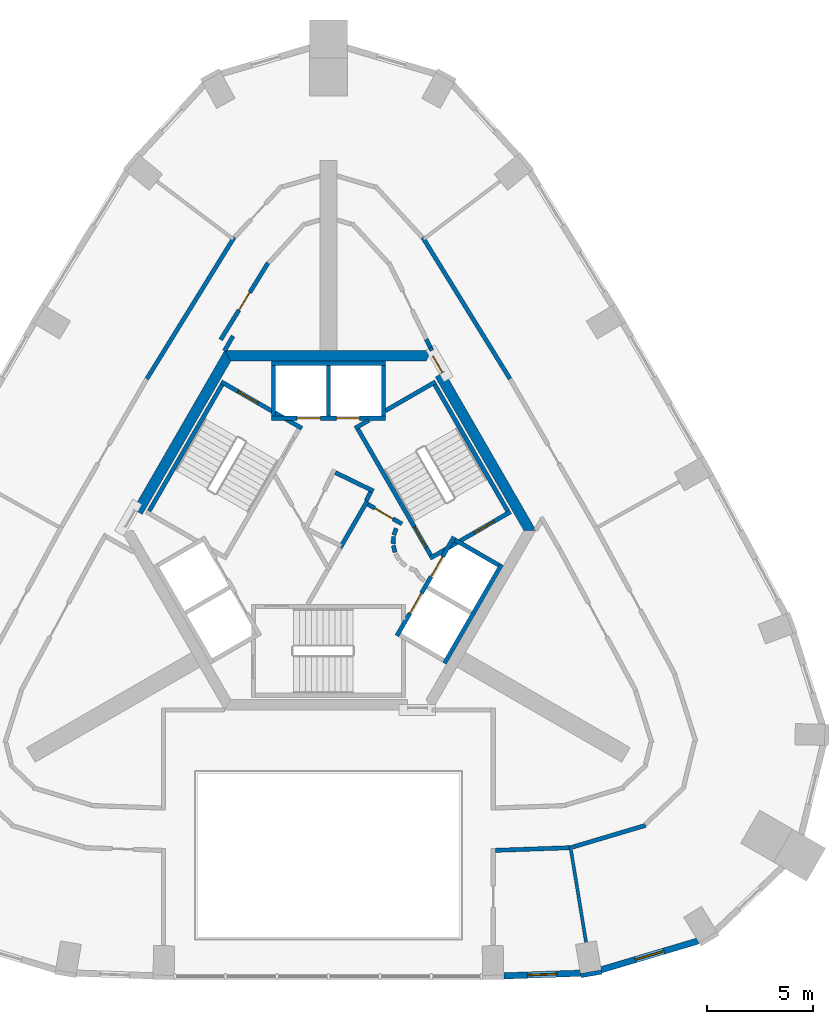
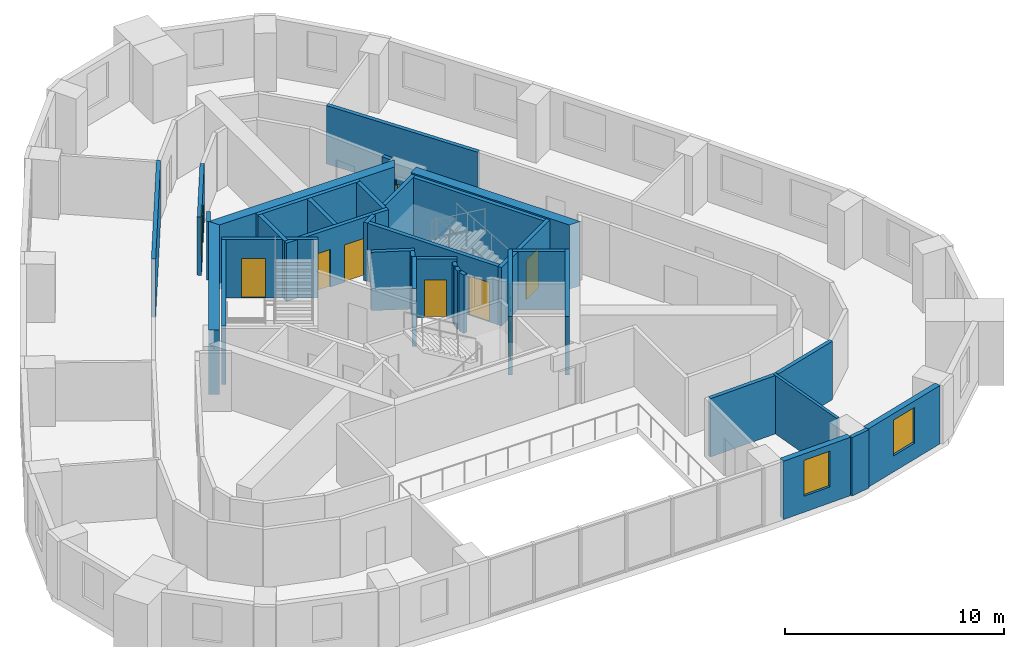
# One storey, part 5 of 8: 38 walls, 10 doors, 2 windows, 12 openings.
"""IFC4 building model written with IfcOpenShell, lengths in metres."""

import ifcopenshell
import ifcopenshell.guid

model = None  # the IFC model being written
_history = None  # IfcOwnerHistory: only IFC2X3 demands one
_inside = {}  # id of a spatial element -> (the spatial element, [elements in it])
_under = {}  # id of a project, library or spatial element -> (it, [spatial elements below it])
_declared = {}  # id of a project -> (the project, [libraries it declares])
_typed = {}  # id of a type object -> (the type object, [elements of that type])
_made_of = {}  # id of a material, layer set ... -> (it, [elements and type objects made of it])


def new_model(schema):
    """Start an empty IFC model of exactly this schema.

    Asked for "IFC4X3", IfcOpenShell would pick the latest addendum, in which some entities
    have other attributes; the version numbers below select the first issue.
    IFC2X3 requires an IfcOwnerHistory on every rooted entity: one is made here for all.
    """
    global model, _history
    if schema == "IFC4X3":
        model = ifcopenshell.file(schema_version=(4, 3, 0, 0))
    else:
        model = ifcopenshell.file(schema=schema)
    _inside.clear()
    _under.clear()
    _declared.clear()
    _typed.clear()
    _made_of.clear()
    _history = None
    if model.schema == "IFC2X3":
        org = make("IfcOrganization", Name="unknown")
        user = make(
            "IfcPersonAndOrganization",
            ThePerson=make("IfcPerson", FamilyName="unknown"),
            TheOrganization=org,
        )
        app = make(
            "IfcApplication",
            ApplicationDeveloper=org,
            Version="unknown",
            ApplicationFullName="unknown",
            ApplicationIdentifier="unknown",
        )
        _history = make(
            "IfcOwnerHistory",
            OwningUser=user,
            OwningApplication=app,
            ChangeAction="ADDED",
            CreationDate=0,
        )
    return model


def make(cls, **values):
    """One entity of the class cls with the attributes given. An attribute that is None is left unset."""
    return model.create_entity(
        cls, **{name: value for name, value in values.items() if value is not None}
    )


def rooted(cls, **values):
    """An entity with a GlobalId (a new one), such as an element, a storey or a relation."""
    return make(cls, GlobalId=ifcopenshell.guid.new(), OwnerHistory=_history, **values)


def si_unit(unit_type, name, prefix=None):
    """IfcSIUnit, for example si_unit("LENGTHUNIT", "METRE", prefix="MILLI")."""
    return make("IfcSIUnit", UnitType=unit_type, Prefix=prefix, Name=name)


def assignment(units):
    """IfcUnitAssignment: the units of a project."""
    return None if units is None else make("IfcUnitAssignment", Units=units)


def point(xyz):
    """IfcCartesianPoint."""
    return None if xyz is None else make("IfcCartesianPoint", Coordinates=xyz)


def direction(xyz):
    """IfcDirection."""
    return None if xyz is None else make("IfcDirection", DirectionRatios=xyz)


def frame(location, z_axis=None, x_axis=None):
    """IfcAxis2Placement3D, a coordinate frame: its origin and axes. An axis left out is left unset."""
    return make(
        "IfcAxis2Placement3D",
        Location=point(location),
        Axis=direction(z_axis),
        RefDirection=direction(x_axis),
    )


def frame_2d(location, x_axis=None):
    """IfcAxis2Placement2D, a coordinate frame in the plane: its origin and x axis."""
    return make(
        "IfcAxis2Placement2D", Location=point(location), RefDirection=direction(x_axis)
    )


def origin():
    """The frame at (0, 0, 0) with its axes left unset."""
    return frame((0.0, 0.0, 0.0))


def place(relative_to, where):
    """IfcLocalPlacement: puts the frame where relative to a parent placement (None: the world)."""
    return make(
        "IfcLocalPlacement", PlacementRelTo=relative_to, RelativePlacement=where
    )


def context(
    kind, dimensions, precision=None, world=None, true_north=None, identifier=None
):
    """IfcGeometricRepresentationContext, for example the 3D "Model" context."""
    return make(
        "IfcGeometricRepresentationContext",
        ContextIdentifier=identifier,
        ContextType=kind,
        CoordinateSpaceDimension=dimensions,
        Precision=precision,
        WorldCoordinateSystem=world,
        TrueNorth=true_north,
    )


def subcontext(parent, identifier, kind, view, scale=None):
    """IfcGeometricRepresentationSubContext, for example "Body" below "Model"."""
    return make(
        "IfcGeometricRepresentationSubContext",
        ContextIdentifier=identifier,
        ContextType=kind,
        ParentContext=parent,
        TargetScale=scale,
        TargetView=view,
    )


def project(units=None, contexts=None):
    """IfcProject with its units and contexts."""
    return rooted(
        "IfcProject",
        Name="project",
        RepresentationContexts=contexts,
        UnitsInContext=assignment(units),
    )


def spatial(cls, under=None, at=None, **own):
    """A site, building, storey or space (cls), placed at a placement, below another one or the project."""
    s = rooted(cls, ObjectPlacement=at, **own)
    if under is not None:
        _under.setdefault(under.id(), (under, []))[1].append(s)
    return s


def polyline(points):
    """IfcPolyline through the points."""
    return make("IfcPolyline", Points=[point(p) for p in points])


def profile(cls, at=None, kind="AREA", **sizes):
    """A parametric profile (cls). Its sizes go by their IFC names, for example OverallWidth=200.0."""
    return make(cls, ProfileType=kind, Position=at, **sizes)


def rectangle(**sizes):
    """IfcRectangleProfileDef."""
    return profile("IfcRectangleProfileDef", **sizes)


def outline(outer, holes=None, kind="AREA"):
    """IfcArbitraryClosedProfileDef: a profile drawn as a closed curve; with holes, ...WithVoids."""
    if holes is None:
        return make("IfcArbitraryClosedProfileDef", ProfileType=kind, OuterCurve=outer)
    return make(
        "IfcArbitraryProfileDefWithVoids",
        ProfileType=kind,
        OuterCurve=outer,
        InnerCurves=holes,
    )


def extrude(swept, where, along, depth):
    """IfcExtrudedAreaSolid: the profile swept, set in the frame where, extruded along a direction by depth."""
    return make(
        "IfcExtrudedAreaSolid",
        SweptArea=swept,
        Position=where,
        ExtrudedDirection=direction(along),
        Depth=depth,
    )


def shape(context_of_items, identifier, shape_type, items):
    """IfcShapeRepresentation: the items that make up one representation, for example the "Body"."""
    return make(
        "IfcShapeRepresentation",
        ContextOfItems=context_of_items,
        RepresentationIdentifier=identifier,
        RepresentationType=shape_type,
        Items=items,
    )


def material(Name=None, Category=None):
    """IfcMaterial."""
    return make("IfcMaterial", Name=Name, Category=Category)


def layer(
    of_material, thickness, ventilated=None, Name=None, Category=None, Priority=None
):
    """IfcMaterialLayer: one layer of a wall or slab, of a material (None: an air gap)."""
    return make(
        "IfcMaterialLayer",
        Material=of_material,
        LayerThickness=thickness,
        IsVentilated=ventilated,
        Name=Name,
        Category=Category,
        Priority=Priority,
    )


def layer_set(layers, Name=None):
    """IfcMaterialLayerSet."""
    return make("IfcMaterialLayerSet", MaterialLayers=layers, LayerSetName=Name)


def made_of(thing, what):
    """Note that an element or type object is made of a material, layer set ...; save() writes the relation."""
    if what is not None:
        _made_of.setdefault(what.id(), (what, []))[1].append(thing)
    return thing


def type_object(cls, material=None, **own):
    """A type object (cls), such as IfcWallType, which elements share."""
    return made_of(rooted(cls, **own), material)


def element(
    cls,
    number,
    at=None,
    inside=None,
    cuts=None,
    type_object=None,
    material=None,
    context=None,
    identifier="Body",
    shape_type=None,
    held_by="IfcProductDefinitionShape",
    body=None,
    shapes=None,
    **own,
):
    """One element of the class cls, such as IfcWall. Its Tag is "e" and its number.

    at: its placement. inside: the storey or other place that contains it. cuts: it is an
    opening in that element (IfcRelVoidsElement). A single representation is given by context,
    identifier, shape_type and body (its items); several are given by shapes. held_by: the class
    of the entity that holds the representations. save() writes the other relations.
    """
    e = rooted(cls, Tag="e%d" % number, ObjectPlacement=at, **own)
    if body is not None:
        shapes = [shape(context, identifier, shape_type, body)]
    if shapes is not None:
        e.Representation = make(held_by, Representations=shapes)
    if inside is not None:
        _inside.setdefault(inside.id(), (inside, []))[1].append(e)
    if cuts is not None:
        rooted(
            "IfcRelVoidsElement", RelatingBuildingElement=cuts, RelatedOpeningElement=e
        )
    if type_object is not None:
        _typed.setdefault(type_object.id(), (type_object, []))[1].append(e)
    return made_of(e, material)


def fill(opening, filler):
    """IfcRelFillsElement: the door or window that sits in an opening."""
    return rooted(
        "IfcRelFillsElement",
        RelatingOpeningElement=opening,
        RelatedBuildingElement=filler,
    )


def aggregate(whole, parts):
    """IfcRelAggregates: a whole, such as a stair, and the parts it consists of."""
    return rooted("IfcRelAggregates", RelatingObject=whole, RelatedObjects=parts)


def save(model, path):
    """Write the relations noted so far, then the file.

    IfcRelAggregates (storeys below a building ...), IfcRelContainedInSpatialStructure (elements
    in a storey), IfcRelDefinesByType, IfcRelAssociatesMaterial and IfcRelDeclares: one each for
    every whole, place, type object, material and project.
    """
    for whole, parts in _under.values():
        aggregate(whole, parts)
    for where, things in _inside.values():
        rooted(
            "IfcRelContainedInSpatialStructure",
            RelatedElements=things,
            RelatingStructure=where,
        )
    for kind, things in _typed.values():
        rooted("IfcRelDefinesByType", RelatedObjects=things, RelatingType=kind)
    for what, things in _made_of.values():
        rooted("IfcRelAssociatesMaterial", RelatedObjects=things, RelatingMaterial=what)
    for by, libraries in _declared.values():
        rooted("IfcRelDeclares", RelatingContext=by, RelatedDefinitions=libraries)
    model.write(path)


model = new_model("IFC4")

# Units and contexts
model_context = context("Model", 3, precision=1e-05, world=origin(), true_north=direction((0.0, 1.0)))
body_context = subcontext(model_context, "Body", "Model", "MODEL_VIEW")
ifc_project = project(units=[si_unit("LENGTHUNIT", "METRE"), si_unit("AREAUNIT", "SQUARE_METRE"), si_unit("VOLUMEUNIT", "CUBIC_METRE"), si_unit("PLANEANGLEUNIT", "RADIAN"), si_unit("MASSUNIT", "GRAM", prefix="KILO")], contexts=[model_context])

# Site, building, storey
site_placement = place(None, origin())
site = spatial("IfcSite", under=ifc_project, at=site_placement, CompositionType="ELEMENT")
building_placement = place(site_placement, origin())
building = spatial("IfcBuilding", under=site, at=building_placement, Name="Entoto Arch Interchange Tower", CompositionType="ELEMENT")
storey_placement = place(building_placement, frame((0.0, 0.0, 311.60009765625)))
storey = spatial("IfcBuildingStorey", under=building, at=storey_placement, Name="L73", CompositionType="ELEMENT", Elevation=311.60009765625)

# Wall, opening, door
ifc_material_1 = material(Name="Reinforced concrete C40/50", Category="concrete")
ifc_layer_1 = layer(ifc_material_1, 0.199951171875)
ifc_layer_set_1 = layer_set([ifc_layer_1], Name="Reinforced concrete C40/50")
wall_type_1 = type_object("IfcWallType", Name="CORE GAP INFILL WALL", PredefinedType="PARTITIONING", material=ifc_layer_set_1)
wall_1_placement = place(storey_placement, frame((5.39892578125, 9.947998046875, 0.0), z_axis=(0.0, 0.0, 1.0), x_axis=(-0.499882215713, 0.866093395895, 0.0)))
wall_1 = element("IfcWall", 1, at=wall_1_placement, inside=storey, type_object=wall_type_1, Name="wall:L73:gap2", PredefinedType="PARTITIONING", context=body_context, shape_type="SweptSolid", body=[
    extrude(rectangle(XDim=0.926025390625, YDim=0.199951171875, at=frame_2d((0.462890625, 0.0))), origin(), (0.0, 0.0, 1.0), 2.39990234375),
])
opening_1_placement = place(wall_1_placement, frame((0.01708984375, 0.0, 0.0)))
opening_1 = element("IfcOpeningElement", 2, at=opening_1_placement, cuts=wall_1, Name="Opening L73-D92", PredefinedType="OPENING", context=body_context, shape_type="SweptSolid", body=[
    extrude(rectangle(XDim=0.89990234375, YDim=2.10009765625, at=frame_2d((0.449951171875, 1.050048828125))), frame((0.0, 0.10986328125, 0.0), z_axis=(0.0, -1.0, 0.0), x_axis=(1.0, 0.0, 0.0)), (0.0, 0.0, 1.0), 0.219970703125),
])
ifc_material_2 = material(Name="Fire-rated Steel S235 door and frame", Category="steel")
door_type_1 = type_object("IfcDoorType", Name="DOOR FD-09 900x2100", OperationType="SINGLE_SWING_LEFT", PredefinedType="DOOR", material=ifc_material_2)
door_1_placement = place(opening_1_placement, origin())
door_1 = element("IfcDoor", 3, at=door_1_placement, inside=storey, type_object=door_type_1, Name="door:L73:gap2", OperationType="SINGLE_SWING_LEFT", OverallHeight=2.10009765625, OverallWidth=0.89990234375, PredefinedType="DOOR", context=body_context, shape_type="SweptSolid", body=[
    extrude(rectangle(XDim=0.89990234375, YDim=2.10009765625, at=frame_2d((0.449951171875, 1.050048828125))), frame((0.0, 0.02490234375, 0.0), z_axis=(0.0, -1.0, 0.0), x_axis=(1.0, 0.0, 0.0)), (0.0, 0.0, 1.0), 0.050048828125),
])
fill(opening_1, door_1)

# Walls
ifc_material_3 = material(Name="Concrete C40/50", Category="concrete")
ifc_layer_2 = layer(ifc_material_3, 0.5)
ifc_layer_set_2 = layer_set([ifc_layer_2], Name="Concrete C40/50")
wall_type_2 = type_object("IfcWallType", Name="Core wall 500 C40/50", PredefinedType="SHEAR", material=ifc_layer_set_2)
wall_2_placement = place(storey_placement, frame((0.0, 0.0, -0.340087890625)))
element("IfcWall", 4, at=wall_2_placement, inside=storey, type_object=wall_type_2, Name="Core wall NE L73", PredefinedType="SHEAR", context=body_context, shape_type="SweptSolid", body=[
    extrude(outline(polyline([(5.486083984375, 9.998046875), (5.052978515625, 9.748046875), (9.238037109375, 2.5), (9.81494140625, 2.5), (5.486083984375, 9.998046875)])), origin(), (0.0, 0.0, 1.0), 3.60009765625),
])
wall_3_placement = place(storey_placement, frame((0.0, 0.0, -0.340087890625)))
element("IfcWall", 5, at=wall_3_placement, inside=storey, type_object=wall_type_2, Name="Core wall N L73", PredefinedType="SHEAR", context=body_context, shape_type="SweptSolid", body=[
    extrude(outline(polyline([(4.906982421875, 11.0), (-4.906982421875, 11.0), (-4.618896484375, 10.5), (4.618896484375, 10.5), (4.906982421875, 11.0)])), origin(), (0.0, 0.0, 1.0), 3.60009765625),
])
wall_4_placement = place(storey_placement, frame((0.0, 0.0, -0.340087890625)))
element("IfcWall", 6, at=wall_4_placement, inside=storey, type_object=wall_type_2, Name="Core wall NW L73", PredefinedType="SHEAR", context=body_context, shape_type="SweptSolid", body=[
    extrude(outline(polyline([(-9.236083984375, 3.501953125), (-8.802978515625, 3.2529296875), (-4.618896484375, 10.5), (-4.906982421875, 11.0), (-9.236083984375, 3.501953125)])), origin(), (0.0, 0.0, 1.0), 3.60009765625),
])

# Wall, openings, doors
ifc_layer_3 = layer(ifc_material_3, 0.199951171875)
ifc_layer_set_3 = layer_set([ifc_layer_3], Name="Concrete C40/50")
wall_type_3 = type_object("IfcWallType", Name="LIFT SHAFT WALL 200", PredefinedType="STANDARD", material=ifc_layer_set_3)
wall_5_placement = place(storey_placement, frame((2.699951171875, 7.800048828125, 0.0), z_axis=(0.0, 0.0, 1.0), x_axis=(-1.0, 0.0, 0.0)))
wall_5 = element("IfcWall", 7, at=wall_5_placement, inside=storey, type_object=wall_type_3, Name="Shaft wall N1 front", PredefinedType="STANDARD", context=body_context, shape_type="SweptSolid", body=[
    extrude(rectangle(XDim=5.39990234375, YDim=0.199951171875, at=frame_2d((2.699951171875, 0.0))), origin(), (0.0, 0.0, 1.0), 3.260009765625),
])
opening_2_placement = place(wall_5_placement, frame((1.22509765625, 0.0, 0.0)))
opening_2 = element("IfcOpeningElement", 8, at=opening_2_placement, cuts=wall_5, Name="Opening LD-HR1-L73", PredefinedType="OPENING", context=body_context, shape_type="SweptSolid", body=[
    extrude(rectangle(XDim=1.10009765625, YDim=2.10009765625, at=frame_2d((0.550048828125, 1.050048828125))), frame((0.0, 0.10986328125, 0.0), z_axis=(0.0, -1.0, 0.0), x_axis=(1.0, 0.0, 0.0)), (0.0, 0.0, 1.0), 0.219970703125),
])
opening_3_placement = place(wall_5_placement, frame((3.074951171875, 0.0, 0.0)))
opening_3 = element("IfcOpeningElement", 9, at=opening_3_placement, cuts=wall_5, Name="Opening LD-HR2-L73", PredefinedType="OPENING", context=body_context, shape_type="SweptSolid", body=[
    extrude(rectangle(XDim=1.10009765625, YDim=2.10009765625, at=frame_2d((0.550048828125, 1.050048828125))), frame((0.0, 0.10986328125, 0.0), z_axis=(0.0, -1.0, 0.0), x_axis=(1.0, 0.0, 0.0)), (0.0, 0.0, 1.0), 0.219970703125),
])
ifc_material_4 = material(Name="Stainless steel 1.4301 panels", Category="steel")
door_type_2 = type_object("IfcDoorType", Name="LIFT LANDING DOOR LD1 1100x2100", OperationType="SLIDING_TO_LEFT", PredefinedType="DOOR", material=ifc_material_4)
door_2_placement = place(opening_2_placement, origin())
door_2 = element("IfcDoor", 10, at=door_2_placement, inside=storey, type_object=door_type_2, Name="Lift landing door HR1 L73", OperationType="SLIDING_TO_LEFT", OverallHeight=2.10009765625, OverallWidth=1.10009765625, PredefinedType="DOOR", context=body_context, shape_type="SweptSolid", body=[
    extrude(rectangle(XDim=1.10009765625, YDim=2.10009765625, at=frame_2d((0.550048828125, 1.050048828125))), frame((0.0, 0.02490234375, 0.0), z_axis=(0.0, -1.0, 0.0), x_axis=(1.0, 0.0, 0.0)), (0.0, 0.0, 1.0), 0.050048828125),
])
fill(opening_2, door_2)
door_3_placement = place(opening_3_placement, origin())
door_3 = element("IfcDoor", 11, at=door_3_placement, inside=storey, type_object=door_type_2, Name="Lift landing door HR2 L73", OperationType="SLIDING_TO_LEFT", OverallHeight=2.10009765625, OverallWidth=1.10009765625, PredefinedType="DOOR", context=body_context, shape_type="SweptSolid", body=[
    extrude(rectangle(XDim=1.10009765625, YDim=2.10009765625, at=frame_2d((0.550048828125, 1.050048828125))), frame((0.0, 0.02490234375, 0.0), z_axis=(0.0, -1.0, 0.0), x_axis=(1.0, 0.0, 0.0)), (0.0, 0.0, 1.0), 0.050048828125),
])
fill(opening_3, door_3)

# Walls
wall_6_placement = place(storey_placement, frame((2.699951171875, 10.39990234375, 0.0), z_axis=(0.0, 0.0, 1.0), x_axis=(-1.0, 0.0, 0.0)))
element("IfcWall", 12, at=wall_6_placement, inside=storey, type_object=wall_type_3, Name="Shaft wall N1 back", PredefinedType="STANDARD", context=body_context, shape_type="SweptSolid", body=[
    extrude(rectangle(XDim=5.39990234375, YDim=0.199951171875, at=frame_2d((2.699951171875, 0.0))), origin(), (0.0, 0.0, 1.0), 3.260009765625),
])
for number, where, z_axis, x_axis, name in (
    (13, (2.60009765625, 7.89990234375, 0.0), (0.0, 0.0, 1.0), (0.0, 1.0, 0.0), "Shaft wall N1 cross 1"),
    (14, (0.0, 7.89990234375, 0.0), (0.0, 0.0, 1.0), (0.0, 1.0, 0.0), "Shaft wall N1 cross 2"),
    (15, (-2.60009765625, 7.89990234375, 0.0), (0.0, 0.0, 1.0), (0.0, 1.0, 0.0), "Shaft wall N1 cross 3"),
):
    element("IfcWall", number, at=place(storey_placement, frame(where, z_axis=z_axis, x_axis=x_axis)), inside=storey, type_object=wall_type_3, Name=name, PredefinedType="STANDARD", context=body_context, shape_type="SweptSolid", body=[
        extrude(rectangle(XDim=2.400146484375, YDim=0.199951171875, at=frame_2d((1.2001953125, 0.0))), origin(), (0.0, 0.0, 1.0), 3.260009765625),
    ])

# Wall, openings, doors
wall_7_placement = place(storey_placement, frame((3.239990234375, -2.488037109375, 0.0), z_axis=(0.0, 0.0, 1.0), x_axis=(0.500034260056, 0.866005622828, 0.0)))
wall_7 = element("IfcWall", 16, at=wall_7_placement, inside=storey, type_object=wall_type_3, Name="Shaft wall SE1 front", PredefinedType="STANDARD", context=body_context, shape_type="SweptSolid", body=[
    extrude(rectangle(XDim=5.3994140625, YDim=0.199951171875, at=frame_2d((2.69970703125, 0.0))), origin(), (0.0, 0.0, 1.0), 3.260009765625),
])
opening_4_placement = place(wall_7_placement, frame((3.22509765625, 0.0, 0.0)))
opening_4 = element("IfcOpeningElement", 17, at=opening_4_placement, cuts=wall_7, Name="Opening LD-HR3-L73", PredefinedType="OPENING", context=body_context, shape_type="SweptSolid", body=[
    extrude(rectangle(XDim=1.10009765625, YDim=2.10009765625, at=frame_2d((0.550048828125, 1.050048828125))), frame((0.0, 0.10986328125, 0.0), z_axis=(0.0, -1.0, 0.0), x_axis=(1.0, 0.0, 0.0)), (0.0, 0.0, 1.0), 0.219970703125),
])
opening_5_placement = place(wall_7_placement, frame((1.22509765625, 0.0, 0.0)))
opening_5 = element("IfcOpeningElement", 18, at=opening_5_placement, cuts=wall_7, Name="Opening LD-FF1-L73", PredefinedType="OPENING", context=body_context, shape_type="SweptSolid", body=[
    extrude(rectangle(XDim=1.10009765625, YDim=2.10009765625, at=frame_2d((0.550048828125, 1.050048828125))), frame((0.0, 0.10986328125, 0.0), z_axis=(0.0, -1.0, 0.0), x_axis=(1.0, 0.0, 0.0)), (0.0, 0.0, 1.0), 0.219970703125),
])
door_4_placement = place(opening_4_placement, origin())
door_4 = element("IfcDoor", 19, at=door_4_placement, inside=storey, type_object=door_type_2, Name="Lift landing door HR3 L73", OperationType="SLIDING_TO_LEFT", OverallHeight=2.10009765625, OverallWidth=1.10009765625, PredefinedType="DOOR", context=body_context, shape_type="SweptSolid", body=[
    extrude(rectangle(XDim=1.10009765625, YDim=2.10009765625, at=frame_2d((0.550048828125, 1.050048828125))), frame((0.0, 0.02490234375, 0.0), z_axis=(0.0, -1.0, 0.0), x_axis=(1.0, 0.0, 0.0)), (0.0, 0.0, 1.0), 0.050048828125),
])
fill(opening_4, door_4)
door_5_placement = place(opening_5_placement, origin())
door_5 = element("IfcDoor", 20, at=door_5_placement, inside=storey, type_object=door_type_2, Name="Lift landing door FF1 L73", OperationType="SLIDING_TO_LEFT", OverallHeight=2.10009765625, OverallWidth=1.10009765625, PredefinedType="DOOR", context=body_context, shape_type="SweptSolid", body=[
    extrude(rectangle(XDim=1.10009765625, YDim=2.10009765625, at=frame_2d((0.550048828125, 1.050048828125))), frame((0.0, 0.02490234375, 0.0), z_axis=(0.0, -1.0, 0.0), x_axis=(1.0, 0.0, 0.0)), (0.0, 0.0, 1.0), 0.050048828125),
])
fill(opening_5, door_5)

# Walls
wall_8_placement = place(storey_placement, frame((5.491943359375, -3.7880859375, 0.0), z_axis=(0.0, 0.0, 1.0), x_axis=(0.500034260056, 0.866005622828, 0.0)))
element("IfcWall", 21, at=wall_8_placement, inside=storey, type_object=wall_type_3, Name="Shaft wall SE1 back", PredefinedType="STANDARD", context=body_context, shape_type="SweptSolid", body=[
    extrude(rectangle(XDim=5.3994140625, YDim=0.199951171875, at=frame_2d((2.69970703125, 0.0))), origin(), (0.0, 0.0, 1.0), 3.260009765625),
])
wall_9_placement = place(storey_placement, frame((5.97705078125, 2.052001953125, 0.0), z_axis=(0.0, 0.0, 1.0), x_axis=(0.865973769406, -0.500089422704, 0.0)))
element("IfcWall", 22, at=wall_9_placement, inside=storey, type_object=wall_type_3, Name="Shaft wall SE1 cross 3", PredefinedType="STANDARD", context=body_context, shape_type="SweptSolid", body=[
    extrude(rectangle(XDim=2.3994140625, YDim=0.199951171875, at=frame_2d((1.19970703125, 0.0))), origin(), (0.0, 0.0, 1.0), 3.260009765625),
])
ifc_material_5 = material(Name="Gypsum board partition on steel studs", Category="steel")
ifc_layer_4 = layer(ifc_material_5, 0.14990234375)
ifc_layer_set_4 = layer_set([ifc_layer_4], Name="Gypsum board partition on steel studs")
wall_type_4 = type_object("IfcWallType", Name="PARTITION 150", PredefinedType="PARTITIONING", material=ifc_layer_set_4)
wall_10_placement = place(storey_placement, frame((11.43798828125, -12.4140625, 0.0), z_axis=(0.0, 0.0, 1.0), x_axis=(0.161576343941, -0.986860215572, 0.0)))
element("IfcWall", 23, at=wall_10_placement, inside=storey, type_object=wall_type_4, Name="wall:L73:p069", PredefinedType="PARTITIONING", context=body_context, shape_type="SweptSolid", body=[
    extrude(rectangle(XDim=4.629638671875, YDim=0.14990234375, at=frame_2d((2.31494140625, 0.0))), origin(), (0.0, 0.0, 1.0), 3.260009765625),
])
ifc_layer_5 = layer(ifc_material_5, 0.199951171875)
ifc_layer_set_5 = layer_set([ifc_layer_5], Name="Gypsum board partition on steel studs")
wall_type_5 = type_object("IfcWallType", Name="PARTITION 200", PredefinedType="PARTITIONING", material=ifc_layer_set_5)
wall_11_placement = place(storey_placement, frame((0.56005859375, 1.6708984375, 0.0), z_axis=(0.0, 0.0, 1.0), x_axis=(0.500008334558, 0.866020591771, 0.0)))
element("IfcWall", 24, at=wall_11_placement, inside=storey, type_object=wall_type_5, Name="wall:L73:p001", PredefinedType="PARTITIONING", context=body_context, shape_type="SweptSolid", body=[
    extrude(rectangle(XDim=2.5380859375, YDim=0.199951171875, at=frame_2d((1.26904296875, 0.0))), origin(), (0.0, 0.0, 1.0), 3.260009765625),
])
wall_12_placement = place(storey_placement, frame((1.7900390625, 3.887939453125, 0.0), z_axis=(0.0, 0.0, 1.0), x_axis=(0.437807406823, 0.899068781869, 0.0)))
element("IfcWall", 25, at=wall_12_placement, inside=storey, type_object=wall_type_5, Name="wall:L73:p002", PredefinedType="PARTITIONING", context=body_context, shape_type="SweptSolid", body=[
    extrude(rectangle(XDim=0.468505859375, YDim=0.199951171875, at=frame_2d((0.234375, 0.0))), origin(), (0.0, 0.0, 1.0), 3.260009765625),
])
wall_13_placement = place(storey_placement, frame((2.1279296875, 4.35498046875, 0.0), z_axis=(0.0, 0.0, 1.0), x_axis=(-0.898876404494, 0.438202247191, 0.0)))
element("IfcWall", 26, at=wall_13_placement, inside=storey, type_object=wall_type_5, Name="wall:L73:p003", PredefinedType="PARTITIONING", context=body_context, shape_type="SweptSolid", body=[
    extrude(rectangle(XDim=1.9990234375, YDim=0.199951171875, at=frame_2d((0.99951171875, 0.0))), origin(), (0.0, 0.0, 1.0), 3.260009765625),
])
wall_14_placement = place(storey_placement, frame((4.89599609375, 11.0, 0.0), z_axis=(0.0, 0.0, 1.0), x_axis=(-0.44208884847, 0.896971264901, 0.0)))
element("IfcWall", 27, at=wall_14_placement, inside=storey, type_object=wall_type_5, Name="wall:L73:p008", PredefinedType="PARTITIONING", context=body_context, shape_type="SweptSolid", body=[
    extrude(rectangle(XDim=0.171630859375, YDim=0.199951171875, at=frame_2d((0.0859375, 0.0))), origin(), (0.0, 0.0, 1.0), 2.39990234375),
])

# Wall, opening, door
wall_15_placement = place(storey_placement, frame((-2.85205078125, 15.152099609375, 0.0), z_axis=(0.0, 0.0, 1.0), x_axis=(-0.525050105661, -0.851071316956, 0.0)))
wall_15 = element("IfcWall", 28, at=wall_15_placement, inside=storey, type_object=wall_type_5, Name="wall:L73:p012", PredefinedType="PARTITIONING", context=body_context, shape_type="SweptSolid", body=[
    extrude(rectangle(XDim=4.273681640625, YDim=0.199951171875, at=frame_2d((2.13671875, 0.0))), origin(), (0.0, 0.0, 1.0), 3.260009765625),
])
opening_6_placement = place(wall_15_placement, frame((1.636962890625, 0.0, 0.0)))
opening_6 = element("IfcOpeningElement", 29, at=opening_6_placement, cuts=wall_15, Name="Opening L73-D10", PredefinedType="OPENING", context=body_context, shape_type="SweptSolid", body=[
    extrude(rectangle(XDim=1.0, YDim=2.10009765625, at=frame_2d((0.5, 1.050048828125))), frame((0.0, 0.10986328125, 0.0), z_axis=(0.0, -1.0, 0.0), x_axis=(1.0, 0.0, 0.0)), (0.0, 0.0, 1.0), 0.219970703125),
])
ifc_material_6 = material(Name="Timber door leaf in Steel S235 frame", Category="steel")
door_type_3 = type_object("IfcDoorType", Name="DOOR DS-10 1000x2100", OperationType="SINGLE_SWING_LEFT", PredefinedType="DOOR", material=ifc_material_6)
door_6_placement = place(opening_6_placement, origin())
door_6 = element("IfcDoor", 30, at=door_6_placement, inside=storey, type_object=door_type_3, Name="door:L73:10", OperationType="SINGLE_SWING_LEFT", OverallHeight=2.10009765625, OverallWidth=1.0, PredefinedType="DOOR", context=body_context, shape_type="SweptSolid", body=[
    extrude(rectangle(XDim=1.0, YDim=2.10009765625, at=frame_2d((0.5, 1.050048828125))), frame((0.0, 0.02490234375, 0.0), z_axis=(0.0, -1.0, 0.0), x_axis=(1.0, 0.0, 0.0)), (0.0, 0.0, 1.0), 0.050048828125),
])
fill(opening_6, door_6)

# Walls
wall_16_placement = place(storey_placement, frame((-4.512939453125, 11.68701171875, 0.0), z_axis=(0.0, 0.0, 1.0), x_axis=(-0.499556546863, -0.866281280235, 0.0)))
element("IfcWall", 31, at=wall_16_placement, inside=storey, type_object=wall_type_5, Name="wall:L73:p013", PredefinedType="PARTITIONING", context=body_context, shape_type="SweptSolid", body=[
    extrude(rectangle(XDim=0.806884765625, YDim=0.199951171875, at=frame_2d((0.4033203125, 0.0))), origin(), (0.0, 0.0, 1.0), 3.260009765625),
])
wall_17_placement = place(storey_placement, frame((11.47900390625, -12.511962890625, 0.0), z_axis=(0.0, 0.0, 1.0), x_axis=(-0.999371508837, -0.035448375484, 0.0)))
element("IfcWall", 32, at=wall_17_placement, inside=storey, type_object=wall_type_5, Name="wall:L73:p030", PredefinedType="PARTITIONING", context=body_context, shape_type="SweptSolid", body=[
    extrude(rectangle(XDim=3.581298828125, YDim=0.199951171875, at=frame_2d((1.79052734375, 0.0))), origin(), (0.0, 0.0, 1.0), 3.260009765625),
])
wall_18_placement = place(storey_placement, frame((15.00390625, -11.4560546875, 0.0), z_axis=(0.0, 0.0, 1.0), x_axis=(-0.958459796003, -0.285227662485, 0.0)))
element("IfcWall", 33, at=wall_18_placement, inside=storey, type_object=wall_type_5, Name="wall:L73:p035", PredefinedType="PARTITIONING", context=body_context, shape_type="SweptSolid", body=[
    extrude(rectangle(XDim=3.603515625, YDim=0.199951171875, at=frame_2d((1.8017578125, 0.0))), origin(), (0.0, 0.0, 1.0), 3.260009765625),
])
for number, where, z_axis, x_axis, name in (
    (34, (4.4541015625, 16.364013671875, 0.0), (0.0, 0.0, 1.0), (0.525142215688, -0.851014484778, 0.0), "wall:L73:p036"),
    (35, (-8.587890625, 9.6650390625, 0.0), (0.0, 0.0, 1.0), (0.525142215688, 0.851014484778, 0.0), "wall:L73:p043"),
):
    element("IfcWall", number, at=place(storey_placement, frame(where, z_axis=z_axis, x_axis=x_axis)), inside=storey, type_object=wall_type_5, Name=name, PredefinedType="PARTITIONING", context=body_context, shape_type="SweptSolid", body=[
        extrude(rectangle(XDim=7.871826171875, YDim=0.199951171875, at=frame_2d((3.93603515625, 0.0))), origin(), (0.0, 0.0, 1.0), 3.260009765625),
    ])

# Wall, opening, door
wall_19_placement = place(storey_placement, frame((1.865966796875, 3.73193359375, 0.0), z_axis=(0.0, 0.0, 1.0), x_axis=(0.866043361281, -0.499968895414, 0.0)))
wall_19 = element("IfcWall", 36, at=wall_19_placement, inside=storey, type_object=wall_type_5, Name="wall:L73:p052", PredefinedType="PARTITIONING", context=body_context, shape_type="SweptSolid", body=[
    extrude(rectangle(XDim=1.85791015625, YDim=0.199951171875, at=frame_2d((0.928955078125, 0.0))), origin(), (0.0, 0.0, 1.0), 3.260009765625),
])
opening_7_placement = place(wall_19_placement, frame((0.37890625, 0.0, 0.0)))
opening_7 = element("IfcOpeningElement", 37, at=opening_7_placement, cuts=wall_19, Name="Opening L73-D12", PredefinedType="OPENING", context=body_context, shape_type="SweptSolid", body=[
    extrude(rectangle(XDim=1.0, YDim=2.10009765625, at=frame_2d((0.5, 1.050048828125))), frame((0.0, 0.10986328125, 0.0), z_axis=(0.0, -1.0, 0.0), x_axis=(1.0, 0.0, 0.0)), (0.0, 0.0, 1.0), 0.219970703125),
])
door_type_4 = type_object("IfcDoorType", Name="DOOR FD-10 1000x2100", OperationType="SINGLE_SWING_LEFT", PredefinedType="DOOR", material=ifc_material_2)
door_7_placement = place(opening_7_placement, origin())
door_7 = element("IfcDoor", 38, at=door_7_placement, inside=storey, type_object=door_type_4, Name="door:L73:12", OperationType="SINGLE_SWING_LEFT", OverallHeight=2.10009765625, OverallWidth=1.0, PredefinedType="DOOR", context=body_context, shape_type="SweptSolid", body=[
    extrude(rectangle(XDim=1.0, YDim=2.10009765625, at=frame_2d((0.5, 1.050048828125))), frame((0.0, 0.02490234375, 0.0), z_axis=(0.0, -1.0, 0.0), x_axis=(1.0, 0.0, 0.0)), (0.0, 0.0, 1.0), 0.050048828125),
])
fill(opening_7, door_7)

# Walls
wall_20_placement = place(storey_placement, frame((3.2080078125, 2.592041015625, 0.0), z_axis=(0.0, 0.0, 1.0), x_axis=(-0.337388820924, -0.941365382578, 0.0)))
element("IfcWall", 39, at=wall_20_placement, inside=storey, type_object=wall_type_5, Name="wall:L73:p053", PredefinedType="PARTITIONING", context=body_context, shape_type="SweptSolid", body=[
    extrude(rectangle(XDim=0.337890625, YDim=0.199951171875, at=frame_2d((0.1689453125, 0.0))), origin(), (0.0, 0.0, 1.0), 3.260009765625),
])
wall_21_placement = place(storey_placement, frame((3.0791015625, 2.198974609375, 0.0), z_axis=(0.0, 0.0, 1.0), x_axis=(-0.047771483479, -0.998858290933, 0.0)))
element("IfcWall", 40, at=wall_21_placement, inside=storey, type_object=wall_type_5, Name="wall:L73:p054", PredefinedType="PARTITIONING", context=body_context, shape_type="SweptSolid", body=[
    extrude(rectangle(XDim=0.33740234375, YDim=0.199951171875, at=frame_2d((0.168701171875, 0.0))), origin(), (0.0, 0.0, 1.0), 3.260009765625),
])
wall_22_placement = place(storey_placement, frame((3.070068359375, 1.785888671875, 0.0), z_axis=(0.0, 0.0, 1.0), x_axis=(0.242705583207, -0.970099994784, 0.0)))
element("IfcWall", 41, at=wall_22_placement, inside=storey, type_object=wall_type_5, Name="wall:L73:p055", PredefinedType="PARTITIONING", context=body_context, shape_type="SweptSolid", body=[
    extrude(rectangle(XDim=0.337890625, YDim=0.199951171875, at=frame_2d((0.1689453125, 0.0))), origin(), (0.0, 0.0, 1.0), 3.260009765625),
])
wall_23_placement = place(storey_placement, frame((4.820068359375, 11.154052734375, 0.0), z_axis=(0.0, 0.0, 1.0), x_axis=(-0.439660677009, 0.898163954461, 0.0)))
element("IfcWall", 42, at=wall_23_placement, inside=storey, type_object=wall_type_5, Name="wall:L73:p008", PredefinedType="PARTITIONING", context=body_context, shape_type="SweptSolid", body=[
    extrude(rectangle(XDim=0.427490234375, YDim=0.199951171875, at=frame_2d((0.2138671875, 0.0))), origin(), (0.0, 0.0, 1.0), 3.260009765625),
])

# Wall, opening, door
ifc_layer_6 = layer(ifc_material_3, 0.199951171875)
ifc_layer_set_6 = layer_set([ifc_layer_6], Name="Concrete C40/50")
wall_type_6 = type_object("IfcWallType", Name="STAIR ENCLOSURE WALL 200", PredefinedType="STANDARD", material=ifc_layer_set_6)
wall_24_placement = place(storey_placement, frame((4.805908203125, 1.176025390625, 0.0), z_axis=(0.0, 0.0, 1.0), x_axis=(0.866059941101, 0.499940174841, 0.0)))
wall_24 = element("IfcWall", 43, at=wall_24_placement, inside=storey, type_object=wall_type_6, Name="Stair wall ST-NE near", PredefinedType="STANDARD", context=body_context, shape_type="SweptSolid", body=[
    extrude(rectangle(XDim=4.400390625, YDim=0.199951171875, at=frame_2d((2.2001953125, 0.0))), origin(), (0.0, 0.0, 1.0), 3.260009765625),
])
opening_8_placement = place(wall_24_placement, frame((2.39990234375, 0.0, 0.0)))
opening_8 = element("IfcOpeningElement", 44, at=opening_8_placement, cuts=wall_24, Name="Opening SD-ST-NE-L73-E", PredefinedType="OPENING", context=body_context, shape_type="SweptSolid", body=[
    extrude(rectangle(XDim=1.10009765625, YDim=2.199951171875, at=frame_2d((0.550048828125, 1.10009765625))), frame((0.0, 0.10986328125, 0.0), z_axis=(0.0, -1.0, 0.0), x_axis=(1.0, 0.0, 0.0)), (0.0, 0.0, 1.0), 0.219970703125),
])
ifc_material_7 = material(Name="Steel S235", Category="steel")
door_type_5 = type_object("IfcDoorType", Name="STAIR DOOR SD1 1100x2200", OperationType="SINGLE_SWING_LEFT", PredefinedType="DOOR", material=ifc_material_7)
door_8_placement = place(opening_8_placement, origin())
door_8 = element("IfcDoor", 45, at=door_8_placement, inside=storey, type_object=door_type_5, Name="Stair door ST-NE L73 end", OperationType="SINGLE_SWING_LEFT", OverallHeight=2.199951171875, OverallWidth=1.10009765625, PredefinedType="DOOR", context=body_context, shape_type="SweptSolid", body=[
    extrude(rectangle(XDim=1.10009765625, YDim=2.199951171875, at=frame_2d((0.550048828125, 1.10009765625))), frame((0.0, 0.02490234375, 0.0), z_axis=(0.0, -1.0, 0.0), x_axis=(1.0, 0.0, 0.0)), (0.0, 0.0, 1.0), 0.050048828125),
])
fill(opening_8, door_8)

# Walls
wall_25_placement = place(storey_placement, frame((2.699951171875, 8.157958984375, 0.0), z_axis=(0.0, 0.0, 1.0), x_axis=(0.86611865017, 0.499838457731, 0.0)))
element("IfcWall", 46, at=wall_25_placement, inside=storey, type_object=wall_type_6, Name="Stair wall ST-NE far", PredefinedType="STANDARD", context=body_context, shape_type="SweptSolid", body=[
    extrude(rectangle(XDim=2.73291015625, YDim=0.199951171875, at=frame_2d((1.366455078125, 0.0))), origin(), (0.0, 0.0, 1.0), 3.260009765625),
])
wall_26_placement = place(storey_placement, frame((1.256103515625, 7.323974609375, 0.0), z_axis=(0.0, 0.0, 1.0), x_axis=(0.865915093549, 0.500191014278, 0.0)))
element("IfcWall", 47, at=wall_26_placement, inside=storey, type_object=wall_type_6, Name="Stair wall ST-NE far return", PredefinedType="STANDARD", context=body_context, shape_type="SweptSolid", body=[
    extrude(rectangle(XDim=0.751708984375, YDim=0.199951171875, at=frame_2d((0.3759765625, 0.0))), origin(), (0.0, 0.0, 1.0), 3.260009765625),
])

# Wall, opening, door
wall_27_placement = place(storey_placement, frame((4.843017578125, 1.31201171875, 0.0), z_axis=(0.0, 0.0, 1.0), x_axis=(-0.499963383562, 0.866046543262, 0.0)))
wall_27 = element("IfcWall", 48, at=wall_27_placement, inside=storey, type_object=wall_type_6, Name="Stair wall ST-NE hall", PredefinedType="STANDARD", context=body_context, shape_type="SweptSolid", body=[
    extrude(rectangle(XDim=6.900390625, YDim=0.199951171875, at=frame_2d((3.4501953125, 0.0))), origin(), (0.0, 0.0, 1.0), 3.260009765625),
])
opening_9_placement = place(wall_27_placement, frame((0.449951171875, 0.0, 0.0)))
opening_9 = element("IfcOpeningElement", 49, at=opening_9_placement, cuts=wall_27, Name="Opening SD-ST-NE-L73", PredefinedType="OPENING", context=body_context, shape_type="SweptSolid", body=[
    extrude(rectangle(XDim=1.10009765625, YDim=2.199951171875, at=frame_2d((0.550048828125, 1.10009765625))), frame((0.0, 0.10986328125, 0.0), z_axis=(0.0, -1.0, 0.0), x_axis=(1.0, 0.0, 0.0)), (0.0, 0.0, 1.0), 0.219970703125),
])
door_9_placement = place(opening_9_placement, origin())
door_9 = element("IfcDoor", 50, at=door_9_placement, inside=storey, type_object=door_type_5, Name="Stair door ST-NE L73", OperationType="SINGLE_SWING_LEFT", OverallHeight=2.199951171875, OverallWidth=1.10009765625, PredefinedType="DOOR", context=body_context, shape_type="SweptSolid", body=[
    extrude(rectangle(XDim=1.10009765625, YDim=2.199951171875, at=frame_2d((0.550048828125, 1.10009765625))), frame((0.0, 0.02490234375, 0.0), z_axis=(0.0, -1.0, 0.0), x_axis=(1.0, 0.0, 0.0)), (0.0, 0.0, 1.0), 0.050048828125),
])
fill(opening_9, door_9)

# Wall
wall_28_placement = place(storey_placement, frame((8.47998046875, 3.412109375, 0.0), z_axis=(0.0, 0.0, 1.0), x_axis=(-0.499978703459, 0.866037698999, 0.0)))
element("IfcWall", 51, at=wall_28_placement, inside=storey, type_object=wall_type_6, Name="Stair wall ST-NE back", PredefinedType="STANDARD", context=body_context, shape_type="SweptSolid", body=[
    extrude(rectangle(XDim=6.900146484375, YDim=0.199951171875, at=frame_2d((3.4501953125, 0.0))), origin(), (0.0, 0.0, 1.0), 3.260009765625),
])

# Wall, opening, door
wall_29_placement = place(storey_placement, frame((-1.256103515625, 7.323974609375, 0.0), z_axis=(0.0, 0.0, 1.0), x_axis=(-0.866046073146, 0.499964197906, 0.0)))
wall_29 = element("IfcWall", 52, at=wall_29_placement, inside=storey, type_object=wall_type_6, Name="Stair wall ST-NW near", PredefinedType="STANDARD", context=body_context, shape_type="SweptSolid", body=[
    extrude(rectangle(XDim=4.400146484375, YDim=0.199951171875, at=frame_2d((2.2001953125, 0.0))), origin(), (0.0, 0.0, 1.0), 3.260009765625),
])
opening_10_placement = place(wall_29_placement, frame((2.39990234375, 0.0, 0.0)))
opening_10 = element("IfcOpeningElement", 53, at=opening_10_placement, cuts=wall_29, Name="Opening SD-ST-NW-L73-E", PredefinedType="OPENING", context=body_context, shape_type="SweptSolid", body=[
    extrude(rectangle(XDim=1.10009765625, YDim=2.199951171875, at=frame_2d((0.550048828125, 1.10009765625))), frame((0.0, 0.10986328125, 0.0), z_axis=(0.0, -1.0, 0.0), x_axis=(1.0, 0.0, 0.0)), (0.0, 0.0, 1.0), 0.219970703125),
])
door_10_placement = place(opening_10_placement, origin())
door_10 = element("IfcDoor", 54, at=door_10_placement, inside=storey, type_object=door_type_5, Name="Stair door ST-NW L73 end", OperationType="SINGLE_SWING_LEFT", OverallHeight=2.199951171875, OverallWidth=1.10009765625, PredefinedType="DOOR", context=body_context, shape_type="SweptSolid", body=[
    extrude(rectangle(XDim=1.10009765625, YDim=2.199951171875, at=frame_2d((0.550048828125, 1.10009765625))), frame((0.0, 0.02490234375, 0.0), z_axis=(0.0, -1.0, 0.0), x_axis=(1.0, 0.0, 0.0)), (0.0, 0.0, 1.0), 0.050048828125),
])
fill(opening_10, door_10)

# Wall
wall_30_placement = place(storey_placement, frame((-5.030029296875, 9.387939453125, 0.0), z_axis=(0.0, 0.0, 1.0), x_axis=(-0.499978703459, -0.866037698999, 0.0)))
element("IfcWall", 55, at=wall_30_placement, inside=storey, type_object=wall_type_6, Name="Stair wall ST-NW back", PredefinedType="STANDARD", context=body_context, shape_type="SweptSolid", body=[
    extrude(rectangle(XDim=6.900146484375, YDim=0.199951171875, at=frame_2d((3.4501953125, 0.0))), origin(), (0.0, 0.0, 1.0), 3.260009765625),
])

# Wall, opening, window
ifc_material_8 = material(Name="Welded tuff (ignimbrite) cladding, warm buff", Category="masonry")
ifc_layer_7 = layer(ifc_material_8, 0.300048828125)
ifc_layer_set_7 = layer_set([ifc_layer_7], Name="Welded tuff (ignimbrite) cladding, warm buff")
wall_type_7 = type_object("IfcWallType", Name="STONE INFILL WALL 300", PredefinedType="STANDARD", material=ifc_layer_set_7)
wall_31_placement = place(storey_placement, frame((8.2958984375, -18.577880859375, 0.0), z_axis=(0.0, 0.0, 1.0), x_axis=(0.999377185233, 0.035287981473, 0.0)))
wall_31 = element("IfcWall", 56, at=wall_31_placement, inside=storey, type_object=wall_type_7, Name="Facade wall S-03 L73", PredefinedType="STANDARD", context=body_context, shape_type="SweptSolid", body=[
    extrude(rectangle(XDim=3.625244140625, YDim=0.300048828125, at=frame_2d((1.8125, 0.0))), origin(), (0.0, 0.0, 1.0), 3.260009765625),
])
opening_11_placement = place(wall_31_placement, frame((1.113037109375, 0.0, 0.89990234375)))
opening_11 = element("IfcOpeningElement", 57, at=opening_11_placement, cuts=wall_31, Name="Opening WH-B", PredefinedType="OPENING", context=body_context, shape_type="SweptSolid", body=[
    extrude(rectangle(XDim=1.39990234375, YDim=2.0, at=frame_2d((0.699951171875, 1.0))), frame((0.0, 0.16015625, 0.0), z_axis=(0.0, -1.0, 0.0), x_axis=(1.0, 0.0, 0.0)), (0.0, 0.0, 1.0), 0.320068359375),
])
ifc_material_9 = material(Name="Clear glass, low-e double glazed", Category="glass")
window_type = type_object("IfcWindowType", Name="WINDOW WH-B 1400x2000", PartitioningType="DOUBLE_PANEL_VERTICAL", PredefinedType="WINDOW", material=ifc_material_9)
window_1_placement = place(opening_11_placement, origin())
window_1 = element("IfcWindow", 58, at=window_1_placement, inside=storey, type_object=window_type, Name="Window WH-B S-03 L73", OverallHeight=2.0, OverallWidth=1.39990234375, PartitioningType="SINGLE_PANEL", PredefinedType="WINDOW", context=body_context, shape_type="SweptSolid", body=[
    extrude(rectangle(XDim=1.39990234375, YDim=2.0, at=frame_2d((0.699951171875, 1.0))), frame((0.0, 0.030029296875, 0.0), z_axis=(0.0, -1.0, 0.0), x_axis=(1.0, 0.0, 0.0)), (0.0, 0.0, 1.0), 0.06005859375),
])
fill(opening_11, window_1)

wall_32_placement = place(storey_placement, frame((12.904052734375, -18.2890625, 0.0), z_axis=(0.0, 0.0, 1.0), x_axis=(0.95841929886, 0.285363711031, 0.0)))
wall_32 = element("IfcWall", 59, at=wall_32_placement, inside=storey, type_object=wall_type_7, Name="Facade wall SE-01 L73", PredefinedType="STANDARD", context=body_context, shape_type="SweptSolid", body=[
    extrude(rectangle(XDim=4.776611328125, YDim=0.300048828125, at=frame_2d((2.38818359375, 0.0))), origin(), (0.0, 0.0, 1.0), 3.260009765625),
])
opening_12_placement = place(wall_32_placement, frame((1.68798828125, 0.0, 0.89990234375)))
opening_12 = element("IfcOpeningElement", 60, at=opening_12_placement, cuts=wall_32, Name="Opening WH-B", PredefinedType="OPENING", context=body_context, shape_type="SweptSolid", body=[
    extrude(rectangle(XDim=1.39990234375, YDim=2.0, at=frame_2d((0.699951171875, 1.0))), frame((0.0, 0.16015625, 0.0), z_axis=(0.0, -1.0, 0.0), x_axis=(1.0, 0.0, 0.0)), (0.0, 0.0, 1.0), 0.320068359375),
])
window_2_placement = place(opening_12_placement, origin())
window_2 = element("IfcWindow", 61, at=window_2_placement, inside=storey, type_object=window_type, Name="Window WH-B SE-01 L73", OverallHeight=2.0, OverallWidth=1.39990234375, PartitioningType="SINGLE_PANEL", PredefinedType="WINDOW", context=body_context, shape_type="SweptSolid", body=[
    extrude(rectangle(XDim=1.39990234375, YDim=2.0, at=frame_2d((0.699951171875, 1.0))), frame((0.0, 0.030029296875, 0.0), z_axis=(0.0, -1.0, 0.0), x_axis=(1.0, 0.0, 0.0)), (0.0, 0.0, 1.0), 0.06005859375),
])
fill(opening_12, window_2)

# Wall
ifc_layer_8 = layer(ifc_material_8, 0.199951171875)
ifc_layer_set_8 = layer_set([ifc_layer_8], Name="Welded tuff (ignimbrite) cladding, warm buff")
wall_type_8 = type_object("IfcWallType", Name="STONE PIER CLADDING 200", PredefinedType="STANDARD", material=ifc_layer_set_8)
wall_33_placement = place(storey_placement, frame((11.93798828125, -18.56591796875, 0.0), z_axis=(0.0, 0.0, 1.0), x_axis=(0.985800545746, 0.167920469293, 0.0)))
element("IfcWall", 62, at=wall_33_placement, inside=storey, type_object=wall_type_8, Name="Stone pier S04 L73", PredefinedType="STANDARD", context=body_context, shape_type="SweptSolid", body=[
    extrude(rectangle(XDim=1.000244140625, YDim=0.199951171875, at=frame_2d((0.5, 0.0))), origin(), (0.0, 0.0, 1.0), 3.260009765625),
])

save(model, "model.ifc")
